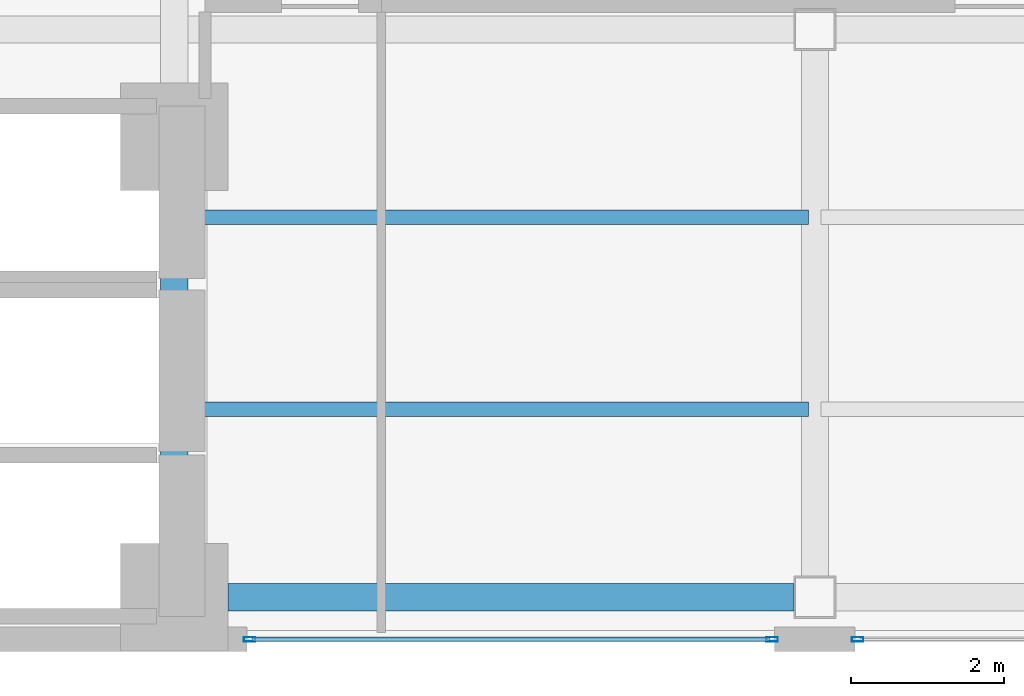
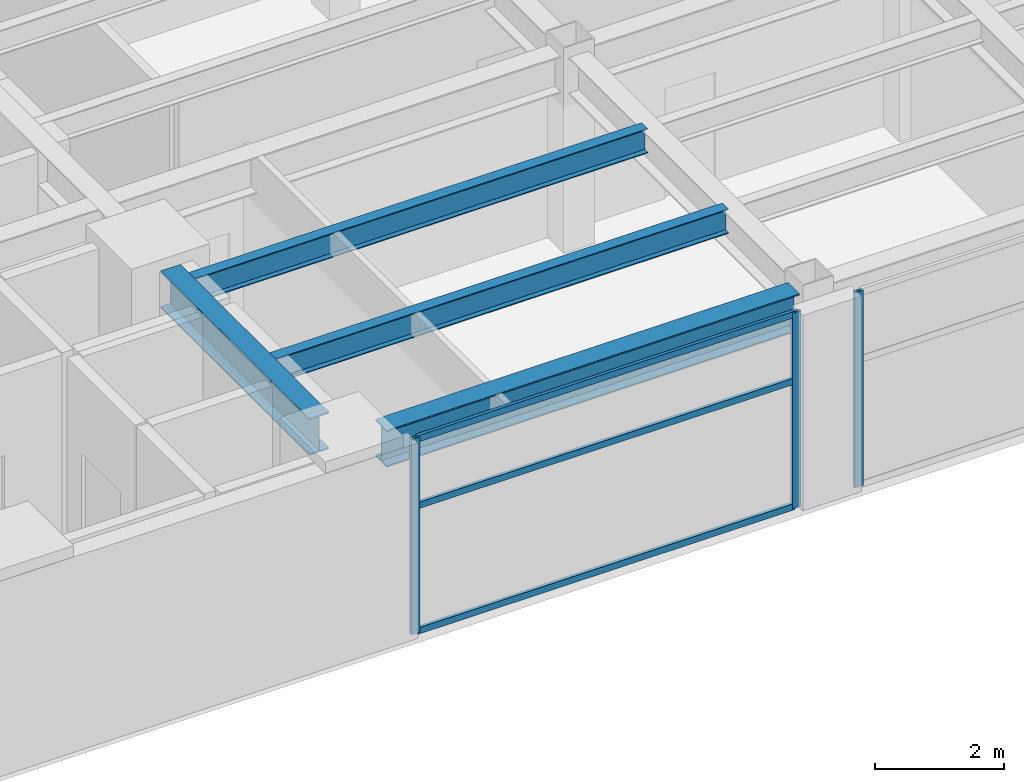
# One storey, part 4 of 16: 6 members, 4 beams, 2 elements without a shape of their own.
"""IFC4 building model written with IfcOpenShell, lengths in metres."""

import ifcopenshell
import ifcopenshell.guid

model = None  # the IFC model being written
_history = None  # IfcOwnerHistory: only IFC2X3 demands one
_inside = {}  # id of a spatial element -> (the spatial element, [elements in it])
_under = {}  # id of a project, library or spatial element -> (it, [spatial elements below it])
_declared = {}  # id of a project -> (the project, [libraries it declares])
_typed = {}  # id of a type object -> (the type object, [elements of that type])
_made_of = {}  # id of a material, layer set ... -> (it, [elements and type objects made of it])


def new_model(schema):
    """Start an empty IFC model of exactly this schema.

    Asked for "IFC4X3", IfcOpenShell would pick the latest addendum, in which some entities
    have other attributes; the version numbers below select the first issue.
    IFC2X3 requires an IfcOwnerHistory on every rooted entity: one is made here for all.
    """
    global model, _history
    if schema == "IFC4X3":
        model = ifcopenshell.file(schema_version=(4, 3, 0, 0))
    else:
        model = ifcopenshell.file(schema=schema)
    _inside.clear()
    _under.clear()
    _declared.clear()
    _typed.clear()
    _made_of.clear()
    _history = None
    if model.schema == "IFC2X3":
        org = make("IfcOrganization", Name="unknown")
        user = make(
            "IfcPersonAndOrganization",
            ThePerson=make("IfcPerson", FamilyName="unknown"),
            TheOrganization=org,
        )
        app = make(
            "IfcApplication",
            ApplicationDeveloper=org,
            Version="unknown",
            ApplicationFullName="unknown",
            ApplicationIdentifier="unknown",
        )
        _history = make(
            "IfcOwnerHistory",
            OwningUser=user,
            OwningApplication=app,
            ChangeAction="ADDED",
            CreationDate=0,
        )
    return model


def make(cls, **values):
    """One entity of the class cls with the attributes given. An attribute that is None is left unset."""
    return model.create_entity(
        cls, **{name: value for name, value in values.items() if value is not None}
    )


def rooted(cls, **values):
    """An entity with a GlobalId (a new one), such as an element, a storey or a relation."""
    return make(cls, GlobalId=ifcopenshell.guid.new(), OwnerHistory=_history, **values)


def si_unit(unit_type, name, prefix=None):
    """IfcSIUnit, for example si_unit("LENGTHUNIT", "METRE", prefix="MILLI")."""
    return make("IfcSIUnit", UnitType=unit_type, Prefix=prefix, Name=name)


def assignment(units):
    """IfcUnitAssignment: the units of a project."""
    return None if units is None else make("IfcUnitAssignment", Units=units)


def point(xyz):
    """IfcCartesianPoint."""
    return None if xyz is None else make("IfcCartesianPoint", Coordinates=xyz)


def direction(xyz):
    """IfcDirection."""
    return None if xyz is None else make("IfcDirection", DirectionRatios=xyz)


def frame(location, z_axis=None, x_axis=None):
    """IfcAxis2Placement3D, a coordinate frame: its origin and axes. An axis left out is left unset."""
    return make(
        "IfcAxis2Placement3D",
        Location=point(location),
        Axis=direction(z_axis),
        RefDirection=direction(x_axis),
    )


def frame_2d(location, x_axis=None):
    """IfcAxis2Placement2D, a coordinate frame in the plane: its origin and x axis."""
    return make(
        "IfcAxis2Placement2D", Location=point(location), RefDirection=direction(x_axis)
    )


def origin():
    """The frame at (0, 0, 0) with its axes left unset."""
    return frame((0.0, 0.0, 0.0))


def origin_2d():
    """The frame at (0, 0) in the plane with its x axis left unset."""
    return frame_2d((0.0, 0.0))


def place(relative_to, where):
    """IfcLocalPlacement: puts the frame where relative to a parent placement (None: the world)."""
    return make(
        "IfcLocalPlacement", PlacementRelTo=relative_to, RelativePlacement=where
    )


def context(
    kind, dimensions, precision=None, world=None, true_north=None, identifier=None
):
    """IfcGeometricRepresentationContext, for example the 3D "Model" context."""
    return make(
        "IfcGeometricRepresentationContext",
        ContextIdentifier=identifier,
        ContextType=kind,
        CoordinateSpaceDimension=dimensions,
        Precision=precision,
        WorldCoordinateSystem=world,
        TrueNorth=true_north,
    )


def subcontext(parent, identifier, kind, view, scale=None):
    """IfcGeometricRepresentationSubContext, for example "Body" below "Model"."""
    return make(
        "IfcGeometricRepresentationSubContext",
        ContextIdentifier=identifier,
        ContextType=kind,
        ParentContext=parent,
        TargetScale=scale,
        TargetView=view,
    )


def project(units=None, contexts=None):
    """IfcProject with its units and contexts."""
    return rooted(
        "IfcProject",
        Name="project",
        RepresentationContexts=contexts,
        UnitsInContext=assignment(units),
    )


def spatial(cls, under=None, at=None, **own):
    """A site, building, storey or space (cls), placed at a placement, below another one or the project."""
    s = rooted(cls, ObjectPlacement=at, **own)
    if under is not None:
        _under.setdefault(under.id(), (under, []))[1].append(s)
    return s


def profile(cls, at=None, kind="AREA", **sizes):
    """A parametric profile (cls). Its sizes go by their IFC names, for example OverallWidth=200.0."""
    return make(cls, ProfileType=kind, Position=at, **sizes)


def hollow_rectangle(**sizes):
    """IfcRectangleHollowProfileDef."""
    return profile("IfcRectangleHollowProfileDef", **sizes)


def i_section(**sizes):
    """IfcIShapeProfileDef."""
    return profile("IfcIShapeProfileDef", **sizes)


def extrude(swept, where, along, depth):
    """IfcExtrudedAreaSolid: the profile swept, set in the frame where, extruded along a direction by depth."""
    return make(
        "IfcExtrudedAreaSolid",
        SweptArea=swept,
        Position=where,
        ExtrudedDirection=direction(along),
        Depth=depth,
    )


def shape(context_of_items, identifier, shape_type, items):
    """IfcShapeRepresentation: the items that make up one representation, for example the "Body"."""
    return make(
        "IfcShapeRepresentation",
        ContextOfItems=context_of_items,
        RepresentationIdentifier=identifier,
        RepresentationType=shape_type,
        Items=items,
    )


def material(Name=None, Category=None):
    """IfcMaterial."""
    return make("IfcMaterial", Name=Name, Category=Category)


def layer(
    of_material, thickness, ventilated=None, Name=None, Category=None, Priority=None
):
    """IfcMaterialLayer: one layer of a wall or slab, of a material (None: an air gap)."""
    return make(
        "IfcMaterialLayer",
        Material=of_material,
        LayerThickness=thickness,
        IsVentilated=ventilated,
        Name=Name,
        Category=Category,
        Priority=Priority,
    )


def layer_set(layers, Name=None):
    """IfcMaterialLayerSet."""
    return make("IfcMaterialLayerSet", MaterialLayers=layers, LayerSetName=Name)


def material_profile(
    of_material, cross_section, Name=None, Category=None, Priority=None
):
    """IfcMaterialProfile: a cross section and its material."""
    return make(
        "IfcMaterialProfile",
        Name=Name,
        Material=of_material,
        Profile=cross_section,
        Priority=Priority,
        Category=Category,
    )


def profile_set(profiles, Name=None, composite=None):
    """IfcMaterialProfileSet."""
    return make(
        "IfcMaterialProfileSet",
        Name=Name,
        MaterialProfiles=profiles,
        CompositeProfile=composite,
    )


def made_of(thing, what):
    """Note that an element or type object is made of a material, layer set ...; save() writes the relation."""
    if what is not None:
        _made_of.setdefault(what.id(), (what, []))[1].append(thing)
    return thing


def type_object(cls, material=None, **own):
    """A type object (cls), such as IfcWallType, which elements share."""
    return made_of(rooted(cls, **own), material)


def element(
    cls,
    number,
    at=None,
    inside=None,
    cuts=None,
    type_object=None,
    material=None,
    context=None,
    identifier="Body",
    shape_type=None,
    held_by="IfcProductDefinitionShape",
    body=None,
    shapes=None,
    **own,
):
    """One element of the class cls, such as IfcWall. Its Tag is "e" and its number.

    at: its placement. inside: the storey or other place that contains it. cuts: it is an
    opening in that element (IfcRelVoidsElement). A single representation is given by context,
    identifier, shape_type and body (its items); several are given by shapes. held_by: the class
    of the entity that holds the representations. save() writes the other relations.
    """
    e = rooted(cls, Tag="e%d" % number, ObjectPlacement=at, **own)
    if body is not None:
        shapes = [shape(context, identifier, shape_type, body)]
    if shapes is not None:
        e.Representation = make(held_by, Representations=shapes)
    if inside is not None:
        _inside.setdefault(inside.id(), (inside, []))[1].append(e)
    if cuts is not None:
        rooted(
            "IfcRelVoidsElement", RelatingBuildingElement=cuts, RelatedOpeningElement=e
        )
    if type_object is not None:
        _typed.setdefault(type_object.id(), (type_object, []))[1].append(e)
    return made_of(e, material)


def aggregate(whole, parts):
    """IfcRelAggregates: a whole, such as a stair, and the parts it consists of."""
    return rooted("IfcRelAggregates", RelatingObject=whole, RelatedObjects=parts)


def save(model, path):
    """Write the relations noted so far, then the file.

    IfcRelAggregates (storeys below a building ...), IfcRelContainedInSpatialStructure (elements
    in a storey), IfcRelDefinesByType, IfcRelAssociatesMaterial and IfcRelDeclares: one each for
    every whole, place, type object, material and project.
    """
    for whole, parts in _under.values():
        aggregate(whole, parts)
    for where, things in _inside.values():
        rooted(
            "IfcRelContainedInSpatialStructure",
            RelatedElements=things,
            RelatingStructure=where,
        )
    for kind, things in _typed.values():
        rooted("IfcRelDefinesByType", RelatedObjects=things, RelatingType=kind)
    for what, things in _made_of.values():
        rooted("IfcRelAssociatesMaterial", RelatedObjects=things, RelatingMaterial=what)
    for by, libraries in _declared.values():
        rooted("IfcRelDeclares", RelatingContext=by, RelatedDefinitions=libraries)
    model.write(path)


model = new_model("IFC4")

# Units and contexts
model_context = context("Model", 3, precision=1e-05, world=origin(), true_north=direction((0.0, 1.0)))
body_context = subcontext(model_context, "Body", "Model", "MODEL_VIEW")
ifc_project = project(units=[si_unit("LENGTHUNIT", "METRE"), si_unit("AREAUNIT", "SQUARE_METRE"), si_unit("VOLUMEUNIT", "CUBIC_METRE"), si_unit("PLANEANGLEUNIT", "RADIAN"), si_unit("MASSUNIT", "GRAM", prefix="KILO")], contexts=[model_context])

# Site, building, storey
site_placement = place(None, origin())
site = spatial("IfcSite", under=ifc_project, at=site_placement, CompositionType="ELEMENT")
building_placement = place(site_placement, origin())
building = spatial("IfcBuilding", under=site, at=building_placement, Name="Mawjaban Terraces University", CompositionType="ELEMENT")
storey_placement = place(building_placement, frame((0.0, 0.0, 38.800048828125)))
storey = spatial("IfcBuildingStorey", under=building, at=storey_placement, Name="L08", CompositionType="ELEMENT", Elevation=38.800048828125)

# Beams
ifc_material_1 = material(Name="Steel ASTM A572 Grade 50", Category="steel")
ifc_material_profile_1 = material_profile(ifc_material_1, i_section(OverallWidth=0.35498046875, OverallDepth=0.695068359375, WebThickness=0.015380859375, FlangeThickness=0.02490234375, at=origin_2d()), Name="W690X217")
ifc_profile_set_1 = profile_set([ifc_material_profile_1], Name="Steel ASTM A572 Grade 50")
beam_type_1 = type_object("IfcBeamType", Name="Beam_B_W690X217", PredefinedType="BEAM", material=ifc_profile_set_1)
beam_1_placement = place(storey_placement, frame((38.35009765625, 0.550048828125, 3.343017578125), z_axis=(1.0, 0.0, 0.0), x_axis=(0.0, 1.0, 0.0)))
element("IfcBeam", 1, at=beam_1_placement, inside=storey, type_object=beam_type_1, Name="L08 Beam BM-L08-EW-01", PredefinedType="BEAM", context=body_context, shape_type="SweptSolid", body=[
    extrude(i_section(OverallWidth=0.35498046875, OverallDepth=0.695068359375, WebThickness=0.015380859375, FlangeThickness=0.02490234375, at=origin_2d()), origin(), (0.0, 0.0, 1.0), 7.375),
])
beam_2_placement = place(storey_placement, frame((37.64990234375, 1.25, 3.343017578125), z_axis=(0.0, 1.0, 0.0), x_axis=(-1.0, 0.0, 0.0)))
element("IfcBeam", 2, at=beam_2_placement, inside=storey, type_object=beam_type_1, Name="L08 Beam BM-L08-NS-07", PredefinedType="BEAM", context=body_context, shape_type="SweptSolid", body=[
    extrude(i_section(OverallWidth=0.35498046875, OverallDepth=0.695068359375, WebThickness=0.015380859375, FlangeThickness=0.02490234375, at=origin_2d()), origin(), (0.0, 0.0, 1.0), 4.60009765625),
])
ifc_material_profile_2 = material_profile(ifc_material_1, i_section(OverallWidth=0.19189453125, OverallDepth=0.462890625, WebThickness=0.010498046875, FlangeThickness=0.017578125, at=origin_2d()), Name="W460X89")
ifc_profile_set_2 = profile_set([ifc_material_profile_2], Name="Steel ASTM A572 Grade 50")
beam_type_2 = type_object("IfcBeamType", Name="Beam_J_W460X89", PredefinedType="JOIST", material=ifc_profile_set_2)
for number, where, z_axis, x_axis, name in (
    (3, (37.72998046875, 3.0, 3.458984375), (1.0, 0.0, 0.0), (0.0, 1.0, 0.0), "L08 Composite Joist JST-L08-01"),
    (4, (37.72998046875, 5.5, 3.458984375), (1.0, 0.0, 0.0), (0.0, 1.0, 0.0), "L08 Composite Joist JST-L08-06"),
):
    element("IfcBeam", number, at=place(storey_placement, frame(where, z_axis=z_axis, x_axis=x_axis)), inside=storey, type_object=beam_type_2, Name=name, PredefinedType="JOIST", context=body_context, shape_type="SweptSolid", body=[
        extrude(i_section(OverallWidth=0.19189453125, OverallDepth=0.462890625, WebThickness=0.010498046875, FlangeThickness=0.017578125, at=origin_2d()), origin(), (0.0, 0.0, 1.0), 8.18994140625),
    ])

# Curtain wall, members
ifc_material_2 = material(Name="Anodised aluminium 6063-T6 and solar-control low-E glass", Category="aluminium")
ifc_layer = layer(ifc_material_2, 0.1650390625)
ifc_layer_set = layer_set([ifc_layer], Name="Anodised aluminium 6063-T6 and solar-control low-E glass")
curtain_wall_type = type_object("IfcCurtainWallType", Name="CWSystem_04_EastWing", PredefinedType="NOTDEFINED", material=ifc_layer_set)
curtain_wall_1_placement = place(storey_placement, origin())
curtain_wall_1 = element("IfcCurtainWall", 5, at=curtain_wall_1_placement, inside=storey, type_object=curtain_wall_type, Name="L08 Curtain Wall CW-04 Run 1.2", PredefinedType="NOTDEFINED")
ifc_material_3 = material(Name="Anodised aluminium 6063-T6", Category="aluminium")
ifc_material_profile_3 = material_profile(ifc_material_3, hollow_rectangle(XDim=0.06005859375, YDim=0.14990234375, WallThickness=0.00390625, at=origin_2d()), Name="ALU150X60X4")
ifc_profile_set_3 = profile_set([ifc_material_profile_3], Name="Anodised aluminium 6063-T6")
member_type_1 = type_object("IfcMemberType", Name="Mullion_CW-04", PredefinedType="MULLION", material=ifc_profile_set_3)
member_1_placement = place(storey_placement, frame((38.632568359375, 0.0, 0.0), z_axis=(0.0, 0.0, 1.0), x_axis=(0.0, 1.0, 0.0)))
member_1 = element("IfcMember", 6, at=member_1_placement, type_object=member_type_1, Name="CW-04 mullion 1", PredefinedType="MULLION", context=body_context, shape_type="SweptSolid", body=[
    extrude(hollow_rectangle(XDim=0.06005859375, YDim=0.14990234375, WallThickness=0.00390625, at=origin_2d()), origin(), (0.0, 0.0, 1.0), 3.68994140625),
])
member_2_placement = place(storey_placement, frame((45.4423828125, 0.0, 0.0), z_axis=(0.0, 0.0, 1.0), x_axis=(0.0, 1.0, 0.0)))
member_2 = element("IfcMember", 7, at=member_2_placement, type_object=member_type_1, Name="CW-04 mullion 2", PredefinedType="MULLION", context=body_context, shape_type="SweptSolid", body=[
    extrude(hollow_rectangle(XDim=0.06005859375, YDim=0.14990234375, WallThickness=0.00390625, at=origin_2d()), origin(), (0.0, 0.0, 1.0), 3.68994140625),
])

# Curtain wall, member
curtain_wall_2_placement = place(storey_placement, origin())
curtain_wall_2 = element("IfcCurtainWall", 8, at=curtain_wall_2_placement, inside=storey, type_object=curtain_wall_type, Name="L08 Curtain Wall CW-04 Run 1.3", PredefinedType="NOTDEFINED")
member_3_placement = place(storey_placement, frame((46.5576171875, 0.0, 0.0), z_axis=(0.0, 0.0, 1.0), x_axis=(0.0, 1.0, 0.0)))
member_3 = element("IfcMember", 9, at=member_3_placement, type_object=member_type_1, Name="CW-04 mullion 1", PredefinedType="MULLION", context=body_context, shape_type="SweptSolid", body=[
    extrude(hollow_rectangle(XDim=0.06005859375, YDim=0.14990234375, WallThickness=0.00390625, at=origin_2d()), origin(), (0.0, 0.0, 1.0), 3.68994140625),
])
aggregate(curtain_wall_2, [member_3])

# Member
ifc_material_profile_4 = material_profile(ifc_material_3, hollow_rectangle(XDim=0.06005859375, YDim=0.1201171875, WallThickness=0.00341796875, at=origin_2d()), Name="ALU120X60X3.5")
ifc_profile_set_4 = profile_set([ifc_material_profile_4], Name="Anodised aluminium 6063-T6")
member_type_2 = type_object("IfcMemberType", Name="Transom_CW-04", PredefinedType="NOTDEFINED", material=ifc_profile_set_4)
member_4_placement = place(storey_placement, frame((38.6650390625, 0.0, 0.030029296875), z_axis=(1.0, 0.0, 0.0), x_axis=(0.0, 1.0, 0.0)))
member_4 = element("IfcMember", 10, at=member_4_placement, type_object=member_type_2, Name="CW-04 transom 1.1", ObjectType="TRANSOM", PredefinedType="USERDEFINED", context=body_context, shape_type="SweptSolid", body=[
    extrude(hollow_rectangle(XDim=0.06005859375, YDim=0.1201171875, WallThickness=0.00341796875, at=origin_2d()), origin(), (0.0, 0.0, 1.0), 6.744873046875),
])

member_5_placement = place(storey_placement, frame((38.6650390625, 0.0, 2.39892578125), z_axis=(1.0, 0.0, 0.0), x_axis=(0.0, 1.0, 0.0)))
member_5 = element("IfcMember", 11, at=member_5_placement, type_object=member_type_2, Name="CW-04 transom 1.2", ObjectType="TRANSOM", PredefinedType="USERDEFINED", context=body_context, shape_type="SweptSolid", body=[
    extrude(hollow_rectangle(XDim=0.06005859375, YDim=0.1201171875, WallThickness=0.00341796875, at=origin_2d()), origin(), (0.0, 0.0, 1.0), 6.744873046875),
])

member_6_placement = place(storey_placement, frame((38.6650390625, 0.0, 3.659912109375), z_axis=(1.0, 0.0, 0.0), x_axis=(0.0, 1.0, 0.0)))
member_6 = element("IfcMember", 12, at=member_6_placement, type_object=member_type_2, Name="CW-04 transom 1.3", ObjectType="TRANSOM", PredefinedType="USERDEFINED", context=body_context, shape_type="SweptSolid", body=[
    extrude(hollow_rectangle(XDim=0.06005859375, YDim=0.1201171875, WallThickness=0.00341796875, at=origin_2d()), origin(), (0.0, 0.0, 1.0), 6.744873046875),
])

aggregate(curtain_wall_1, [member_1, member_2, member_4, member_5, member_6])

save(model, "model.ifc")
